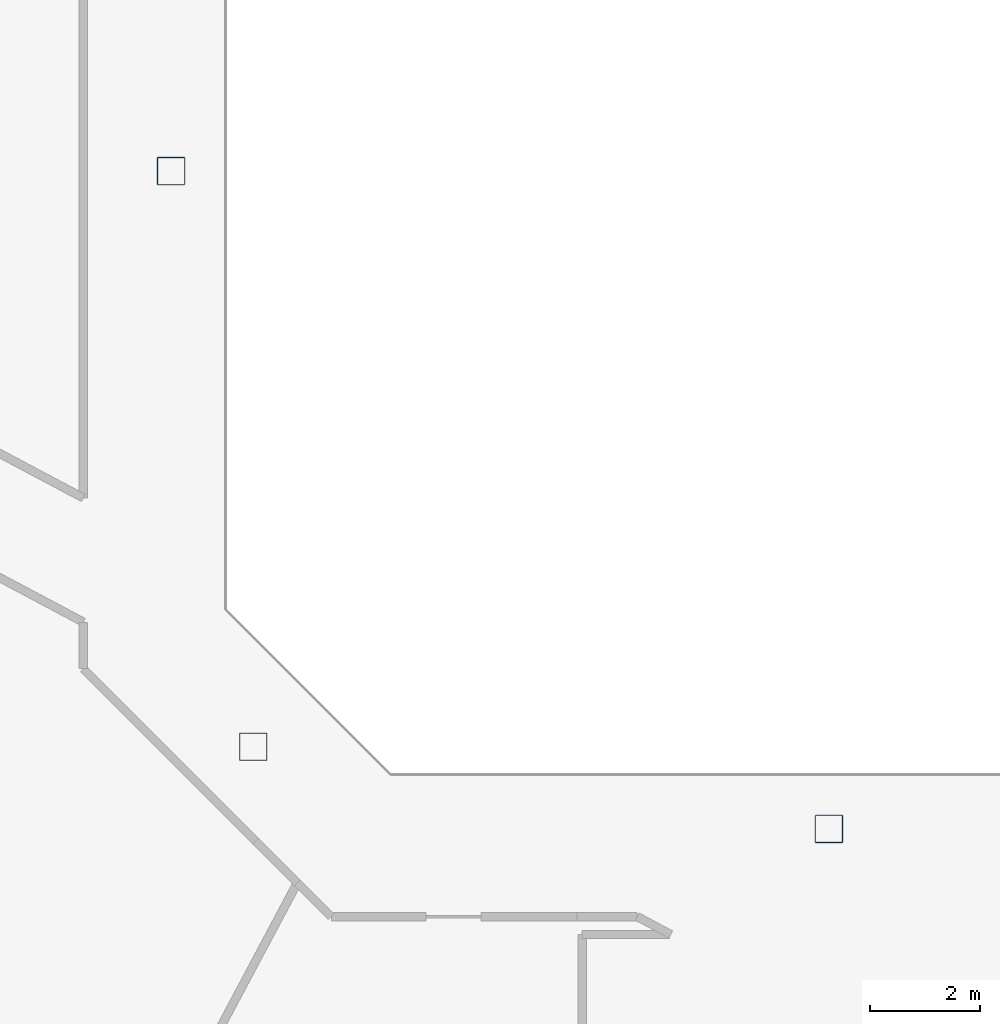
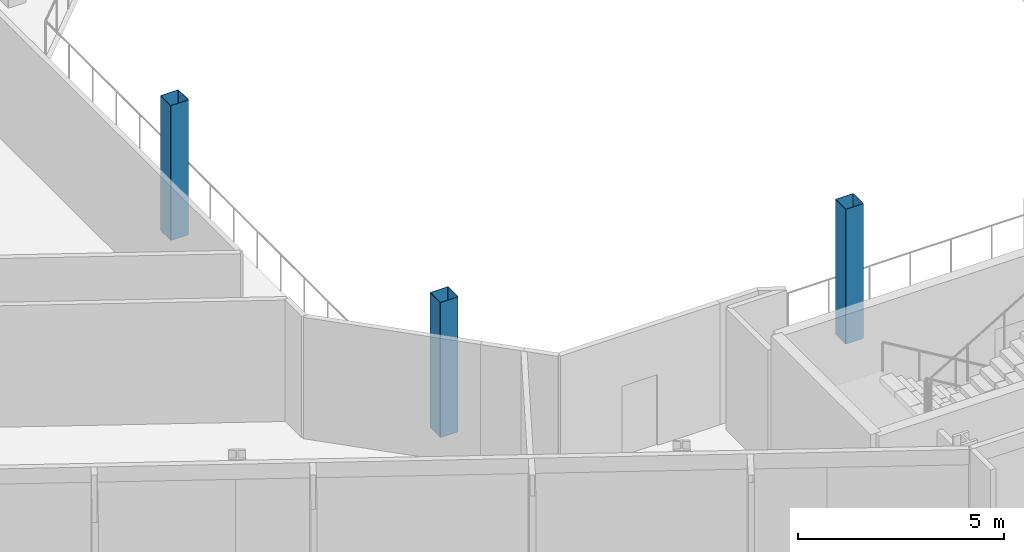
# One storey, part 2 of 28: 3 columns.
"""IFC4 building model written with IfcOpenShell, lengths in metres."""

from ifc_helpers import new_model, si_unit, direction, frame, origin, origin_2d, place, context, subcontext, project, spatial, hollow_rectangle, extrude, material, material_profile, profile_set, type_object, element, save


model = new_model("IFC4")

# Units and contexts
model_context = context("Model", 3, precision=1e-05, world=origin(), true_north=direction((0.0, 1.0)))
body_context = subcontext(model_context, "Body", "Model", "MODEL_VIEW")
ifc_project = project(units=[si_unit("LENGTHUNIT", "METRE"), si_unit("AREAUNIT", "SQUARE_METRE"), si_unit("VOLUMEUNIT", "CUBIC_METRE"), si_unit("PLANEANGLEUNIT", "RADIAN"), si_unit("MASSUNIT", "GRAM", prefix="KILO")], contexts=[model_context])

# Site, building, storey
site_placement = place(None, origin())
site = spatial("IfcSite", under=ifc_project, at=site_placement, CompositionType="ELEMENT")
building_placement = place(site_placement, origin())
building = spatial("IfcBuilding", under=site, at=building_placement, Name="Cormorant Relay Tower", CompositionType="ELEMENT")
storey_placement = place(building_placement, frame((0.0, 0.0, 174.199951171875)))
storey = spatial("IfcBuildingStorey", under=building, at=storey_placement, Name="L37", CompositionType="ELEMENT", Elevation=174.199951171875)

# Columns
ifc_material = material(Name="Steel ASTM A500 Grade C (Fy 345 MPa)", Category="steel")
ifc_material_profile = material_profile(ifc_material, hollow_rectangle(XDim=0.508056640625, YDim=0.508056640625, WallThickness=0.01171875, InnerFilletRadius=0.005859375, OuterFilletRadius=0.017822265625, at=origin_2d()), Name="HSS508x508x12")
ifc_profile_set = profile_set([ifc_material_profile], Name="Steel ASTM A500 Grade C (Fy 345 MPa)")
column_type = type_object("IfcColumnType", Name="Column HSS508x508x12", PredefinedType="COLUMN", material=ifc_profile_set)
for number, where, z_axis, x_axis, name in (
    (1, (0.0, -12.0, 0.0), (0.0, 0.0, 1.0), (1.0, 0.0, 0.0), "Column L37-007"),
    (2, (-10.5, -10.5, 0.0), (0.0, 0.0, 1.0), (1.0, 0.0, 0.0), "Column L37-009"),
    (3, (-12.0, 0.0, 0.0), (0.0, 0.0, 1.0), (1.0, 0.0, 0.0), "Column L37-015"),
):
    element("IfcColumn", number, at=place(storey_placement, frame(where, z_axis=z_axis, x_axis=x_axis)), inside=storey, type_object=column_type, Name=name, PredefinedType="COLUMN", context=body_context, shape_type="SweptSolid", body=[
        extrude(hollow_rectangle(XDim=0.508056640625, YDim=0.508056640625, WallThickness=0.01171875, InnerFilletRadius=0.005859375, OuterFilletRadius=0.017822265625, at=origin_2d()), origin(), (0.0, 0.0, 1.0), 4.0),
    ])

save(model, "model.ifc")
